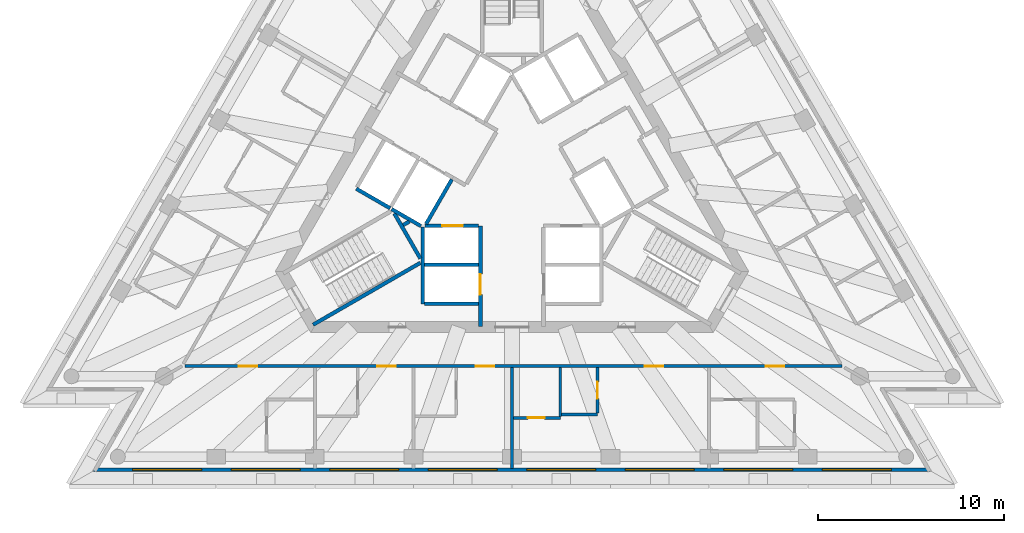
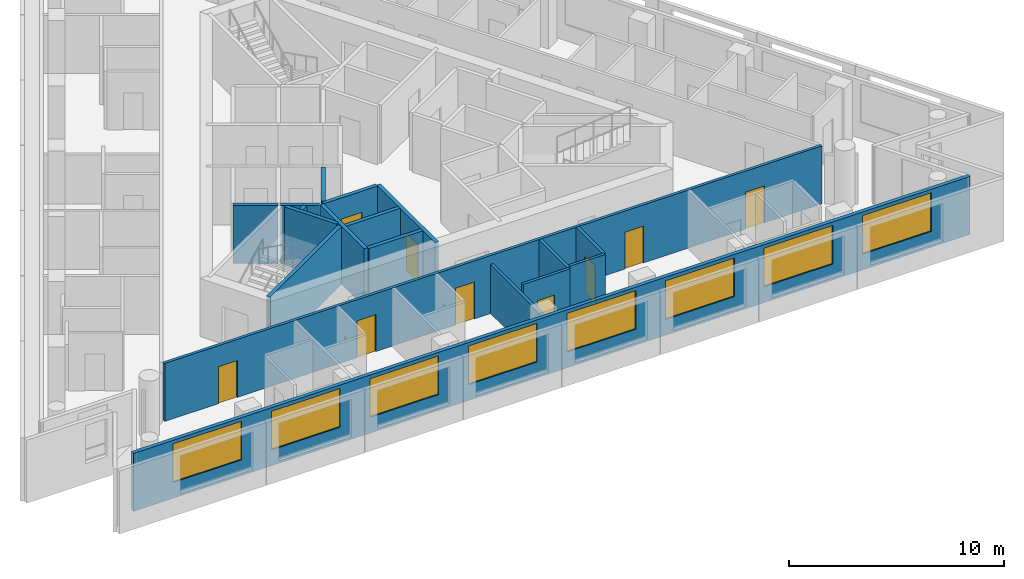
# One storey, part 3 of 11: 18 walls, 9 doors, 8 windows, 17 openings.
"""IFC4 building model written with IfcOpenShell, lengths in metres."""

from ifc_helpers import new_model, si_unit, direction, frame, frame_2d, origin, place, context, subcontext, project, spatial, rectangle, extrude, material, layer, layer_set, layer_usage, type_object, element, fill, save


model = new_model("IFC4")

# Units and contexts
model_context = context("Model", 3, precision=1e-05, world=origin(), true_north=direction((0.0, 1.0)))
body_context = subcontext(model_context, "Body", "Model", "MODEL_VIEW")
ifc_project = project(units=[si_unit("LENGTHUNIT", "METRE"), si_unit("AREAUNIT", "SQUARE_METRE"), si_unit("VOLUMEUNIT", "CUBIC_METRE"), si_unit("PLANEANGLEUNIT", "RADIAN"), si_unit("MASSUNIT", "GRAM", prefix="KILO")], contexts=[model_context])

# Site, building, storey
site_placement = place(None, origin())
site = spatial("IfcSite", under=ifc_project, at=site_placement, CompositionType="ELEMENT")
building_placement = place(site_placement, origin())
building = spatial("IfcBuilding", under=site, at=building_placement, Name="Triada Interchange Tower", CompositionType="ELEMENT")
storey_placement = place(building_placement, frame((0.0, 0.0, 304.300048828125)))
storey = spatial("IfcBuildingStorey", under=building, at=storey_placement, Name="L72", CompositionType="ELEMENT", Elevation=304.300048828125)

# Walls
ifc_material_1 = material(Name="Concrete C30/37", Category="concrete")
ifc_layer_1 = layer(ifc_material_1, 0.199951171875)
ifc_layer_set_1 = layer_set([ifc_layer_1], Name="CORE WALL 200 EI 120")
wall_type_1 = type_object("IfcWallType", Name="CORE WALL 200 EI 120", PredefinedType="SOLIDWALL", material=ifc_layer_set_1)
wall_1_placement = place(storey_placement, frame((-8.3759765625, -0.70703125, 0.0), z_axis=(0.0, 0.0, 1.0), x_axis=(0.866067520717, -0.499927044236, 0.0)))
element("IfcWall", 1, at=wall_1_placement, inside=storey, type_object=wall_type_1, Name="Wall L71 69", PredefinedType="SOLIDWALL", context=body_context, shape_type="SweptSolid", body=[
    extrude(rectangle(XDim=2.100341796875, YDim=0.199951171875, at=frame_2d((1.05029296875, 0.0))), origin(), (0.0, 0.0, 1.0), 3.300048828125),
])
wall_2_placement = place(storey_placement, frame((-4.699951171875, -4.800048828125, 0.0), z_axis=(0.0, 0.0, 1.0), x_axis=(1.0, 0.0, 0.0)))
element("IfcWall", 2, at=wall_2_placement, inside=storey, type_object=wall_type_1, Name="Wall L71 71", PredefinedType="SOLIDWALL", context=body_context, shape_type="SweptSolid", body=[
    extrude(rectangle(XDim=2.89990234375, YDim=0.199951171875, at=frame_2d((1.449951171875, 0.0))), origin(), (0.0, 0.0, 1.0), 3.300048828125),
])
wall_3_placement = place(storey_placement, frame((-4.800048828125, -6.89990234375, 0.0), z_axis=(0.0, 0.0, 1.0), x_axis=(0.0, 1.0, 0.0)))
element("IfcWall", 3, at=wall_3_placement, inside=storey, type_object=wall_type_1, Name="Wall L71 73", PredefinedType="SOLIDWALL", context=body_context, shape_type="SweptSolid", body=[
    extrude(rectangle(XDim=4.130859375, YDim=0.199951171875, at=frame_2d((2.0654296875, 0.0))), origin(), (0.0, 0.0, 1.0), 3.300048828125),
])
wall_4_placement = place(storey_placement, frame((-4.699951171875, -6.89990234375, 0.0), z_axis=(0.0, 0.0, 1.0), x_axis=(1.0, 0.0, 0.0)))
element("IfcWall", 4, at=wall_4_placement, inside=storey, type_object=wall_type_1, Name="Wall L71 74", PredefinedType="SOLIDWALL", context=body_context, shape_type="SweptSolid", body=[
    extrude(rectangle(XDim=2.89990234375, YDim=0.199951171875, at=frame_2d((1.449951171875, 0.0))), origin(), (0.0, 0.0, 1.0), 3.300048828125),
])

# Wall, opening, door
wall_5_placement = place(storey_placement, frame((-1.699951171875, -8.1298828125, 0.0), z_axis=(0.0, 0.0, 1.0), x_axis=(0.0, 1.0, 0.0)))
wall_5 = element("IfcWall", 5, at=wall_5_placement, inside=storey, type_object=wall_type_1, Name="Wall L71 76", PredefinedType="SOLIDWALL", context=body_context, shape_type="SweptSolid", body=[
    extrude(rectangle(XDim=5.427001953125, YDim=0.199951171875, at=frame_2d((2.71337890625, 0.0))), origin(), (0.0, 0.0, 1.0), 3.300048828125),
])
opening_1_placement = place(wall_5_placement, frame((1.72998046875, 0.0, 0.0)))
opening_1 = element("IfcOpeningElement", 6, at=opening_1_placement, cuts=wall_5, Name="Opening LD-HR4", PredefinedType="OPENING", context=body_context, shape_type="SweptSolid", body=[
    extrude(rectangle(XDim=1.10009765625, YDim=2.10009765625, at=frame_2d((0.550048828125, 1.050048828125))), frame((0.0, 0.10986328125, 0.0), z_axis=(0.0, -1.0, 0.0), x_axis=(1.0, 0.0, 0.0)), (0.0, 0.0, 1.0), 0.219970703125),
])
ifc_material_2 = material(Name="Steel S235 door leaf", Category="steel")
door_type_1 = type_object("IfcDoorType", Name="LIFT LANDING DOOR 1100 EI 120", OperationType="SLIDING_TO_LEFT", PredefinedType="DOOR", material=ifc_material_2)
door_1_placement = place(opening_1_placement, origin())
door_1 = element("IfcDoor", 7, at=door_1_placement, inside=storey, type_object=door_type_1, Name="HR4 landing door L72", OperationType="SLIDING_TO_LEFT", OverallHeight=2.10009765625, OverallWidth=1.10009765625, PredefinedType="DOOR", context=body_context, shape_type="SweptSolid", body=[
    extrude(rectangle(XDim=1.10009765625, YDim=2.10009765625, at=frame_2d((0.550048828125, 1.050048828125))), frame((0.0, 0.02490234375, 0.0), z_axis=(0.0, -1.0, 0.0), x_axis=(1.0, 0.0, 0.0)), (0.0, 0.0, 1.0), 0.050048828125),
])
fill(opening_1, door_1)

wall_6_placement = place(storey_placement, frame((-4.676025390625, -2.699951171875, 0.0), z_axis=(0.0, 0.0, 1.0), x_axis=(1.0, 0.0, 0.0)))
wall_6 = element("IfcWall", 8, at=wall_6_placement, inside=storey, type_object=wall_type_1, Name="Wall L71 77", PredefinedType="SOLIDWALL", context=body_context, shape_type="SweptSolid", body=[
    extrude(rectangle(XDim=2.873046875, YDim=0.199951171875, at=frame_2d((1.4365234375, 0.0))), origin(), (0.0, 0.0, 1.0), 3.300048828125),
])
opening_2_placement = place(wall_6_placement, frame((0.93701171875, 0.0, 0.0)))
opening_2 = element("IfcOpeningElement", 9, at=opening_2_placement, cuts=wall_6, Name="Opening LD-HR3", PredefinedType="OPENING", context=body_context, shape_type="SweptSolid", body=[
    extrude(rectangle(XDim=1.10009765625, YDim=2.10009765625, at=frame_2d((0.550048828125, 1.050048828125))), frame((0.0, 0.10986328125, 0.0), z_axis=(0.0, -1.0, 0.0), x_axis=(1.0, 0.0, 0.0)), (0.0, 0.0, 1.0), 0.219970703125),
])
door_2_placement = place(opening_2_placement, origin())
door_2 = element("IfcDoor", 10, at=door_2_placement, inside=storey, type_object=door_type_1, Name="HR3 landing door L72", OperationType="SLIDING_TO_LEFT", OverallHeight=2.10009765625, OverallWidth=1.10009765625, PredefinedType="DOOR", context=body_context, shape_type="SweptSolid", body=[
    extrude(rectangle(XDim=1.10009765625, YDim=2.10009765625, at=frame_2d((0.550048828125, 1.050048828125))), frame((0.0, 0.02490234375, 0.0), z_axis=(0.0, -1.0, 0.0), x_axis=(1.0, 0.0, 0.0)), (0.0, 0.0, 1.0), 0.050048828125),
])
fill(opening_2, door_2)

# Walls
ifc_layer_2 = layer(ifc_material_1, 0.199951171875)
ifc_layer_set_2 = layer_set([ifc_layer_2], Name="CORE WALL 200 EI 180")
wall_type_2 = type_object("IfcWallType", Name="CORE WALL 200 EI 180", PredefinedType="SOLIDWALL", material=ifc_layer_set_2)
wall_7_placement = place(storey_placement, frame((-6.469970703125, -1.806884765625, 0.0), z_axis=(0.0, 0.0, 1.0), x_axis=(0.865883195159, -0.500246231712, 0.0)))
element("IfcWall", 11, at=wall_7_placement, inside=storey, type_object=wall_type_2, Name="Shaft wall FF1 L71 102", PredefinedType="SOLIDWALL", context=body_context, shape_type="SweptSolid", body=[
    extrude(rectangle(XDim=1.8154296875, YDim=0.199951171875, at=frame_2d((0.90771484375, 0.0))), origin(), (0.0, 0.0, 1.0), 3.300048828125),
])
wall_8_placement = place(storey_placement, frame((-4.618896484375, -2.60009765625, 0.0), z_axis=(0.0, 0.0, 1.0), x_axis=(0.50009492287, 0.865970593103, 0.0)))
element("IfcWall", 12, at=wall_8_placement, inside=storey, type_object=wall_type_2, Name="Shaft wall FF1 L71 104", PredefinedType="SOLIDWALL", context=body_context, shape_type="SweptSolid", body=[
    extrude(rectangle(XDim=2.76123046875, YDim=0.199951171875, at=frame_2d((1.380615234375, 0.0))), origin(), (0.0, 0.0, 1.0), 3.300048828125),
])
ifc_layer_3 = layer(ifc_material_1, 0.199951171875)
ifc_layer_set_3 = layer_set([ifc_layer_3], Name="CORE WALL 200 EI 90")
wall_type_3 = type_object("IfcWallType", Name="CORE WALL 200 EI 90", PredefinedType="SOLIDWALL", material=ifc_layer_set_3)
wall_9_placement = place(storey_placement, frame((-5.85302734375, -2.662109375, 0.0), z_axis=(0.0, 0.0, 1.0), x_axis=(0.866630806644, 0.498949942355, 0.0)))
element("IfcWall", 13, at=wall_9_placement, inside=storey, type_object=wall_type_3, Name="Wall L71 109", PredefinedType="SOLIDWALL", context=body_context, shape_type="SweptSolid", body=[
    extrude(rectangle(XDim=0.383056640625, YDim=0.199951171875, at=frame_2d((0.19140625, 0.0))), origin(), (0.0, 0.0, 1.0), 3.300048828125),
])
ifc_layer_4 = layer(ifc_material_1, 0.199951171875)
ifc_layer_set_4 = layer_set([ifc_layer_4], Name="CORE WALL 200 REI 240")
wall_type_4 = type_object("IfcWallType", Name="CORE WALL 200 REI 240", PredefinedType="SOLIDWALL", material=ifc_layer_set_4)
wall_10_placement = place(storey_placement, frame((-6.3291015625, -2.0380859375, 0.0), z_axis=(0.0, 0.0, 1.0), x_axis=(0.500200581029, -0.865909567298, 0.0)))
element("IfcWall", 14, at=wall_10_placement, inside=storey, type_object=wall_type_4, Name="Wall L71 116", PredefinedType="SOLIDWALL", context=body_context, shape_type="SweptSolid", body=[
    extrude(rectangle(XDim=2.799072265625, YDim=0.199951171875, at=frame_2d((1.3994140625, 0.0))), origin(), (0.0, 0.0, 1.0), 3.300048828125),
])
wall_11_placement = place(storey_placement, frame((-10.700927734375, -8.02587890625, 0.0), z_axis=(0.0, 0.0, 1.0), x_axis=(0.866005022404, 0.500035299925, 0.0)))
element("IfcWall", 15, at=wall_11_placement, inside=storey, type_object=wall_type_4, Name="Wall L71 117", PredefinedType="SOLIDWALL", context=body_context, shape_type="SweptSolid", body=[
    extrude(rectangle(XDim=6.6650390625, YDim=0.199951171875, at=frame_2d((3.33251953125, 0.0))), origin(), (0.0, 0.0, 1.0), 3.300048828125),
])

# Wall, openings, windows
ifc_material_3 = material(Name="Cement board")
ifc_layer_5 = layer(ifc_material_3, 0.02001953125, Name="Cement board cladding")
ifc_material_4 = material(Name="Sheathing board")
ifc_layer_6 = layer(ifc_material_4, 0.014892578125, Name="Sheathing board")
ifc_material_5 = material(Name="Mineral wool")
ifc_layer_7 = layer(ifc_material_5, 0.14990234375, Name="Mineral wool between steel studs")
ifc_material_6 = material(Name="Gypsum board")
ifc_layer_8 = layer(ifc_material_6, 0.014892578125, Name="Plasterboard lining")
ifc_layer_set_5 = layer_set([ifc_layer_5, ifc_layer_6, ifc_layer_7, ifc_layer_8], Name="External wall 200")
ifc_layer_usage = layer_usage(ifc_layer_set_5, "AXIS2", "POSITIVE", -0.10009765625)
wall_type_5 = type_object("IfcWallType", Name="External wall 200", PredefinedType="ELEMENTEDWALL", material=ifc_layer_set_5)
wall_12_placement = place(storey_placement, frame((-22.507080078125, -15.826904296875, 0.0), z_axis=(0.0, 0.0, 1.0), x_axis=(1.0, 0.0, 0.0)))
wall_12 = element("IfcWall", 16, at=wall_12_placement, inside=storey, type_object=wall_type_5, material=ifc_layer_usage, Name="External wall L72 S", PredefinedType="ELEMENTEDWALL", context=body_context, shape_type="SweptSolid", body=[
    extrude(rectangle(XDim=44.994140625, YDim=0.199951171875, at=frame_2d((22.4970703125, 0.0))), origin(), (0.0, 0.0, 1.0), 3.300048828125),
])
opening_3_placement = place(wall_12_placement, frame((2.10400390625, 0.0, 0.89990234375)))
opening_3 = element("IfcOpeningElement", 17, at=opening_3_placement, cuts=wall_12, Name="Opening WD11", PredefinedType="OPENING", context=body_context, shape_type="SweptSolid", body=[
    extrude(rectangle(XDim=3.699951171875, YDim=2.199951171875, at=frame_2d((1.85009765625, 1.10009765625))), frame((0.0, 0.10986328125, 0.0), z_axis=(0.0, -1.0, 0.0), x_axis=(1.0, 0.0, 0.0)), (0.0, 0.0, 1.0), 0.219970703125),
])
opening_4_placement = place(wall_12_placement, frame((7.405029296875, 0.0, 0.89990234375)))
opening_4 = element("IfcOpeningElement", 18, at=opening_4_placement, cuts=wall_12, Name="Opening WD12", PredefinedType="OPENING", context=body_context, shape_type="SweptSolid", body=[
    extrude(rectangle(XDim=3.699951171875, YDim=2.199951171875, at=frame_2d((1.85009765625, 1.10009765625))), frame((0.0, 0.10986328125, 0.0), z_axis=(0.0, -1.0, 0.0), x_axis=(1.0, 0.0, 0.0)), (0.0, 0.0, 1.0), 0.219970703125),
])
opening_5_placement = place(wall_12_placement, frame((12.7060546875, 0.0, 0.89990234375)))
opening_5 = element("IfcOpeningElement", 19, at=opening_5_placement, cuts=wall_12, Name="Opening WD13", PredefinedType="OPENING", context=body_context, shape_type="SweptSolid", body=[
    extrude(rectangle(XDim=3.699951171875, YDim=2.199951171875, at=frame_2d((1.85009765625, 1.10009765625))), frame((0.0, 0.10986328125, 0.0), z_axis=(0.0, -1.0, 0.0), x_axis=(1.0, 0.0, 0.0)), (0.0, 0.0, 1.0), 0.219970703125),
])
opening_6_placement = place(wall_12_placement, frame((18.006103515625, 0.0, 0.89990234375)))
opening_6 = element("IfcOpeningElement", 20, at=opening_6_placement, cuts=wall_12, Name="Opening WD14", PredefinedType="OPENING", context=body_context, shape_type="SweptSolid", body=[
    extrude(rectangle(XDim=3.699951171875, YDim=2.199951171875, at=frame_2d((1.85009765625, 1.10009765625))), frame((0.0, 0.10986328125, 0.0), z_axis=(0.0, -1.0, 0.0), x_axis=(1.0, 0.0, 0.0)), (0.0, 0.0, 1.0), 0.219970703125),
])
opening_7_placement = place(wall_12_placement, frame((23.30810546875, 0.0, 0.89990234375)))
opening_7 = element("IfcOpeningElement", 21, at=opening_7_placement, cuts=wall_12, Name="Opening WD15", PredefinedType="OPENING", context=body_context, shape_type="SweptSolid", body=[
    extrude(rectangle(XDim=3.699951171875, YDim=2.199951171875, at=frame_2d((1.85009765625, 1.10009765625))), frame((0.0, 0.10986328125, 0.0), z_axis=(0.0, -1.0, 0.0), x_axis=(1.0, 0.0, 0.0)), (0.0, 0.0, 1.0), 0.219970703125),
])
opening_8_placement = place(wall_12_placement, frame((28.60791015625, 0.0, 0.89990234375)))
opening_8 = element("IfcOpeningElement", 22, at=opening_8_placement, cuts=wall_12, Name="Opening WD16", PredefinedType="OPENING", context=body_context, shape_type="SweptSolid", body=[
    extrude(rectangle(XDim=3.699951171875, YDim=2.199951171875, at=frame_2d((1.85009765625, 1.10009765625))), frame((0.0, 0.10986328125, 0.0), z_axis=(0.0, -1.0, 0.0), x_axis=(1.0, 0.0, 0.0)), (0.0, 0.0, 1.0), 0.219970703125),
])
opening_9_placement = place(wall_12_placement, frame((33.909912109375, 0.0, 0.89990234375)))
opening_9 = element("IfcOpeningElement", 23, at=opening_9_placement, cuts=wall_12, Name="Opening WD17", PredefinedType="OPENING", context=body_context, shape_type="SweptSolid", body=[
    extrude(rectangle(XDim=3.699951171875, YDim=2.199951171875, at=frame_2d((1.85009765625, 1.10009765625))), frame((0.0, 0.10986328125, 0.0), z_axis=(0.0, -1.0, 0.0), x_axis=(1.0, 0.0, 0.0)), (0.0, 0.0, 1.0), 0.219970703125),
])
opening_10_placement = place(wall_12_placement, frame((39.2099609375, 0.0, 0.89990234375)))
opening_10 = element("IfcOpeningElement", 24, at=opening_10_placement, cuts=wall_12, Name="Opening WD18", PredefinedType="OPENING", context=body_context, shape_type="SweptSolid", body=[
    extrude(rectangle(XDim=3.699951171875, YDim=2.199951171875, at=frame_2d((1.85009765625, 1.10009765625))), frame((0.0, 0.10986328125, 0.0), z_axis=(0.0, -1.0, 0.0), x_axis=(1.0, 0.0, 0.0)), (0.0, 0.0, 1.0), 0.219970703125),
])
ifc_material_7 = material(Name="Double glazed aluminium window", Category="aluminium")
window_type = type_object("IfcWindowType", Name="Ribbon window D face", PartitioningType="SINGLE_PANEL", PredefinedType="WINDOW", material=ifc_material_7)
window_1_placement = place(opening_3_placement, origin())
window_1 = element("IfcWindow", 25, at=window_1_placement, inside=storey, type_object=window_type, Name="Window L72 S 1", OverallHeight=2.199951171875, OverallWidth=3.699951171875, PartitioningType="SINGLE_PANEL", PredefinedType="WINDOW", context=body_context, shape_type="SweptSolid", body=[
    extrude(rectangle(XDim=3.699951171875, YDim=2.199951171875, at=frame_2d((1.85009765625, 1.10009765625))), frame((0.0, 0.030029296875, 0.0), z_axis=(0.0, -1.0, 0.0), x_axis=(1.0, 0.0, 0.0)), (0.0, 0.0, 1.0), 0.06005859375),
])
fill(opening_3, window_1)
window_2_placement = place(opening_4_placement, origin())
window_2 = element("IfcWindow", 26, at=window_2_placement, inside=storey, type_object=window_type, Name="Window L72 S 2", OverallHeight=2.199951171875, OverallWidth=3.699951171875, PartitioningType="SINGLE_PANEL", PredefinedType="WINDOW", context=body_context, shape_type="SweptSolid", body=[
    extrude(rectangle(XDim=3.699951171875, YDim=2.199951171875, at=frame_2d((1.85009765625, 1.10009765625))), frame((0.0, 0.030029296875, 0.0), z_axis=(0.0, -1.0, 0.0), x_axis=(1.0, 0.0, 0.0)), (0.0, 0.0, 1.0), 0.06005859375),
])
fill(opening_4, window_2)
window_3_placement = place(opening_5_placement, origin())
window_3 = element("IfcWindow", 27, at=window_3_placement, inside=storey, type_object=window_type, Name="Window L72 S 3", OverallHeight=2.199951171875, OverallWidth=3.699951171875, PartitioningType="SINGLE_PANEL", PredefinedType="WINDOW", context=body_context, shape_type="SweptSolid", body=[
    extrude(rectangle(XDim=3.699951171875, YDim=2.199951171875, at=frame_2d((1.85009765625, 1.10009765625))), frame((0.0, 0.030029296875, 0.0), z_axis=(0.0, -1.0, 0.0), x_axis=(1.0, 0.0, 0.0)), (0.0, 0.0, 1.0), 0.06005859375),
])
fill(opening_5, window_3)
window_4_placement = place(opening_6_placement, origin())
window_4 = element("IfcWindow", 28, at=window_4_placement, inside=storey, type_object=window_type, Name="Window L72 S 4", OverallHeight=2.199951171875, OverallWidth=3.699951171875, PartitioningType="SINGLE_PANEL", PredefinedType="WINDOW", context=body_context, shape_type="SweptSolid", body=[
    extrude(rectangle(XDim=3.699951171875, YDim=2.199951171875, at=frame_2d((1.85009765625, 1.10009765625))), frame((0.0, 0.030029296875, 0.0), z_axis=(0.0, -1.0, 0.0), x_axis=(1.0, 0.0, 0.0)), (0.0, 0.0, 1.0), 0.06005859375),
])
fill(opening_6, window_4)
window_5_placement = place(opening_7_placement, origin())
window_5 = element("IfcWindow", 29, at=window_5_placement, inside=storey, type_object=window_type, Name="Window L72 S 5", OverallHeight=2.199951171875, OverallWidth=3.699951171875, PartitioningType="SINGLE_PANEL", PredefinedType="WINDOW", context=body_context, shape_type="SweptSolid", body=[
    extrude(rectangle(XDim=3.699951171875, YDim=2.199951171875, at=frame_2d((1.85009765625, 1.10009765625))), frame((0.0, 0.030029296875, 0.0), z_axis=(0.0, -1.0, 0.0), x_axis=(1.0, 0.0, 0.0)), (0.0, 0.0, 1.0), 0.06005859375),
])
fill(opening_7, window_5)
window_6_placement = place(opening_8_placement, origin())
window_6 = element("IfcWindow", 30, at=window_6_placement, inside=storey, type_object=window_type, Name="Window L72 S 6", OverallHeight=2.199951171875, OverallWidth=3.699951171875, PartitioningType="SINGLE_PANEL", PredefinedType="WINDOW", context=body_context, shape_type="SweptSolid", body=[
    extrude(rectangle(XDim=3.699951171875, YDim=2.199951171875, at=frame_2d((1.85009765625, 1.10009765625))), frame((0.0, 0.030029296875, 0.0), z_axis=(0.0, -1.0, 0.0), x_axis=(1.0, 0.0, 0.0)), (0.0, 0.0, 1.0), 0.06005859375),
])
fill(opening_8, window_6)
window_7_placement = place(opening_9_placement, origin())
window_7 = element("IfcWindow", 31, at=window_7_placement, inside=storey, type_object=window_type, Name="Window L72 S 7", OverallHeight=2.199951171875, OverallWidth=3.699951171875, PartitioningType="SINGLE_PANEL", PredefinedType="WINDOW", context=body_context, shape_type="SweptSolid", body=[
    extrude(rectangle(XDim=3.699951171875, YDim=2.199951171875, at=frame_2d((1.85009765625, 1.10009765625))), frame((0.0, 0.030029296875, 0.0), z_axis=(0.0, -1.0, 0.0), x_axis=(1.0, 0.0, 0.0)), (0.0, 0.0, 1.0), 0.06005859375),
])
fill(opening_9, window_7)
window_8_placement = place(opening_10_placement, origin())
window_8 = element("IfcWindow", 32, at=window_8_placement, inside=storey, type_object=window_type, Name="Window L72 S 8", OverallHeight=2.199951171875, OverallWidth=3.699951171875, PartitioningType="SINGLE_PANEL", PredefinedType="WINDOW", context=body_context, shape_type="SweptSolid", body=[
    extrude(rectangle(XDim=3.699951171875, YDim=2.199951171875, at=frame_2d((1.85009765625, 1.10009765625))), frame((0.0, 0.030029296875, 0.0), z_axis=(0.0, -1.0, 0.0), x_axis=(1.0, 0.0, 0.0)), (0.0, 0.0, 1.0), 0.06005859375),
])
fill(opening_10, window_8)

# Wall, openings, doors
ifc_material_8 = material(Name="Gypsum board partition")
ifc_layer_9 = layer(ifc_material_8, 0.14990234375)
ifc_layer_set_6 = layer_set([ifc_layer_9], Name="PARTITION 150 EI 180")
wall_type_6 = type_object("IfcWallType", Name="PARTITION 150 EI 180", PredefinedType="PARTITIONING", material=ifc_layer_set_6)
wall_13_placement = place(storey_placement, frame((-17.60302734375, -10.25, 0.0), z_axis=(0.0, 0.0, 1.0), x_axis=(1.0, 0.0, 0.0)))
wall_13 = element("IfcWall", 33, at=wall_13_placement, inside=storey, type_object=wall_type_6, Name="Wall L71 4", PredefinedType="PARTITIONING", context=body_context, shape_type="SweptSolid", body=[
    extrude(rectangle(XDim=35.35595703125, YDim=0.14990234375, at=frame_2d((17.677978515625, 0.0))), origin(), (0.0, 0.0, 1.0), 3.300048828125),
])
opening_11_placement = place(wall_13_placement, frame((2.89990234375, 0.0, 0.0)))
opening_11 = element("IfcOpeningElement", 34, at=opening_11_placement, cuts=wall_13, Name="Opening D71-11", PredefinedType="OPENING", context=body_context, shape_type="SweptSolid", body=[
    extrude(rectangle(XDim=1.0, YDim=2.10009765625, at=frame_2d((0.5, 1.050048828125))), frame((0.0, 0.0849609375, 0.0), z_axis=(0.0, -1.0, 0.0), x_axis=(1.0, 0.0, 0.0)), (0.0, 0.0, 1.0), 0.169921875),
])
opening_12_placement = place(wall_13_placement, frame((10.35107421875, 0.0, 0.0)))
opening_12 = element("IfcOpeningElement", 35, at=opening_12_placement, cuts=wall_13, Name="Opening D71-13", PredefinedType="OPENING", context=body_context, shape_type="SweptSolid", body=[
    extrude(rectangle(XDim=1.0, YDim=2.10009765625, at=frame_2d((0.5, 1.050048828125))), frame((0.0, 0.0849609375, 0.0), z_axis=(0.0, -1.0, 0.0), x_axis=(1.0, 0.0, 0.0)), (0.0, 0.0, 1.0), 0.169921875),
])
opening_13_placement = place(wall_13_placement, frame((15.652099609375, 0.0, 0.0)))
opening_13 = element("IfcOpeningElement", 36, at=opening_13_placement, cuts=wall_13, Name="Opening D71-15", PredefinedType="OPENING", context=body_context, shape_type="SweptSolid", body=[
    extrude(rectangle(XDim=1.0, YDim=2.10009765625, at=frame_2d((0.5, 1.050048828125))), frame((0.0, 0.0849609375, 0.0), z_axis=(0.0, -1.0, 0.0), x_axis=(1.0, 0.0, 0.0)), (0.0, 0.0, 1.0), 0.169921875),
])
opening_14_placement = place(wall_13_placement, frame((24.7529296875, 0.0, 0.0)))
opening_14 = element("IfcOpeningElement", 37, at=opening_14_placement, cuts=wall_13, Name="Opening D71-17", PredefinedType="OPENING", context=body_context, shape_type="SweptSolid", body=[
    extrude(rectangle(XDim=1.0, YDim=2.10009765625, at=frame_2d((0.5, 1.050048828125))), frame((0.0, 0.0849609375, 0.0), z_axis=(0.0, -1.0, 0.0), x_axis=(1.0, 0.0, 0.0)), (0.0, 0.0, 1.0), 0.169921875),
])
opening_15_placement = place(wall_13_placement, frame((31.2548828125, 0.0, 0.0)))
opening_15 = element("IfcOpeningElement", 38, at=opening_15_placement, cuts=wall_13, Name="Opening D71-20", PredefinedType="OPENING", context=body_context, shape_type="SweptSolid", body=[
    extrude(rectangle(XDim=1.0, YDim=2.10009765625, at=frame_2d((0.5, 1.050048828125))), frame((0.0, 0.0849609375, 0.0), z_axis=(0.0, -1.0, 0.0), x_axis=(1.0, 0.0, 0.0)), (0.0, 0.0, 1.0), 0.169921875),
])
door_type_2 = type_object("IfcDoorType", Name="GUEST ROOM DOOR 1000 EI2 90-C5S200", OperationType="NOTDEFINED", PredefinedType="DOOR", material=ifc_material_2)
door_3_placement = place(opening_11_placement, origin())
door_3 = element("IfcDoor", 39, at=door_3_placement, inside=storey, type_object=door_type_2, Name="Door D71-11 L72", OperationType="SINGLE_SWING_RIGHT", OverallHeight=2.10009765625, OverallWidth=1.0, PredefinedType="DOOR", context=body_context, shape_type="SweptSolid", body=[
    extrude(rectangle(XDim=1.0, YDim=2.10009765625, at=frame_2d((0.5, 1.050048828125))), frame((0.0, 0.02490234375, 0.0), z_axis=(0.0, -1.0, 0.0), x_axis=(1.0, 0.0, 0.0)), (0.0, 0.0, 1.0), 0.050048828125),
])
fill(opening_11, door_3)
door_4_placement = place(opening_12_placement, origin())
door_4 = element("IfcDoor", 40, at=door_4_placement, inside=storey, type_object=door_type_2, Name="Door D71-13 L72", OperationType="SINGLE_SWING_RIGHT", OverallHeight=2.10009765625, OverallWidth=1.0, PredefinedType="DOOR", context=body_context, shape_type="SweptSolid", body=[
    extrude(rectangle(XDim=1.0, YDim=2.10009765625, at=frame_2d((0.5, 1.050048828125))), frame((0.0, 0.02490234375, 0.0), z_axis=(0.0, -1.0, 0.0), x_axis=(1.0, 0.0, 0.0)), (0.0, 0.0, 1.0), 0.050048828125),
])
fill(opening_12, door_4)
door_5_placement = place(opening_13_placement, origin())
door_5 = element("IfcDoor", 41, at=door_5_placement, inside=storey, type_object=door_type_2, Name="Door D71-15 L72", OperationType="SINGLE_SWING_RIGHT", OverallHeight=2.10009765625, OverallWidth=1.0, PredefinedType="DOOR", context=body_context, shape_type="SweptSolid", body=[
    extrude(rectangle(XDim=1.0, YDim=2.10009765625, at=frame_2d((0.5, 1.050048828125))), frame((0.0, 0.02490234375, 0.0), z_axis=(0.0, -1.0, 0.0), x_axis=(1.0, 0.0, 0.0)), (0.0, 0.0, 1.0), 0.050048828125),
])
fill(opening_13, door_5)
door_6_placement = place(opening_14_placement, origin())
door_6 = element("IfcDoor", 42, at=door_6_placement, inside=storey, type_object=door_type_2, Name="Door D71-17 L72", OperationType="SINGLE_SWING_RIGHT", OverallHeight=2.10009765625, OverallWidth=1.0, PredefinedType="DOOR", context=body_context, shape_type="SweptSolid", body=[
    extrude(rectangle(XDim=1.0, YDim=2.10009765625, at=frame_2d((0.5, 1.050048828125))), frame((0.0, 0.02490234375, 0.0), z_axis=(0.0, -1.0, 0.0), x_axis=(1.0, 0.0, 0.0)), (0.0, 0.0, 1.0), 0.050048828125),
])
fill(opening_14, door_6)
door_7_placement = place(opening_15_placement, origin())
door_7 = element("IfcDoor", 43, at=door_7_placement, inside=storey, type_object=door_type_2, Name="Door D71-20 L72", OperationType="SINGLE_SWING_LEFT", OverallHeight=2.10009765625, OverallWidth=1.0, PredefinedType="DOOR", context=body_context, shape_type="SweptSolid", body=[
    extrude(rectangle(XDim=1.0, YDim=2.10009765625, at=frame_2d((0.5, 1.050048828125))), frame((0.0, 0.02490234375, 0.0), z_axis=(0.0, -1.0, 0.0), x_axis=(1.0, 0.0, 0.0)), (0.0, 0.0, 1.0), 0.050048828125),
])
fill(opening_15, door_7)

# Wall
wall_14_placement = place(storey_placement, frame((0.0, -15.7470703125, 0.0), z_axis=(0.0, 0.0, 1.0), x_axis=(0.0, 1.0, 0.0)))
element("IfcWall", 44, at=wall_14_placement, inside=storey, type_object=wall_type_6, Name="Wall L71 12", PredefinedType="PARTITIONING", context=body_context, shape_type="SweptSolid", body=[
    extrude(rectangle(XDim=5.422119140625, YDim=0.14990234375, at=frame_2d((2.7109375, 0.0))), origin(), (0.0, 0.0, 1.0), 2.800048828125),
])

# Wall, opening, door
ifc_layer_10 = layer(ifc_material_8, 0.14990234375)
ifc_layer_set_7 = layer_set([ifc_layer_10], Name="PARTITION 150 EI 90")
wall_type_7 = type_object("IfcWallType", Name="PARTITION 150 EI 90", PredefinedType="PARTITIONING", material=ifc_layer_set_7)
wall_15_placement = place(storey_placement, frame((0.074951171875, -13.0380859375, 0.0), z_axis=(0.0, 0.0, 1.0), x_axis=(1.0, 0.0, 0.0)))
wall_15 = element("IfcWall", 45, at=wall_15_placement, inside=storey, type_object=wall_type_7, Name="Wall L71 53", PredefinedType="PARTITIONING", context=body_context, shape_type="SweptSolid", body=[
    extrude(rectangle(XDim=2.525146484375, YDim=0.14990234375, at=frame_2d((1.2626953125, 0.0))), origin(), (0.0, 0.0, 1.0), 3.300048828125),
])
opening_16_placement = place(wall_15_placement, frame((0.77490234375, 0.0, 0.0)))
opening_16 = element("IfcOpeningElement", 46, at=opening_16_placement, cuts=wall_15, Name="Opening D71-18", PredefinedType="OPENING", context=body_context, shape_type="SweptSolid", body=[
    extrude(rectangle(XDim=0.89990234375, YDim=2.10009765625, at=frame_2d((0.449951171875, 1.050048828125))), frame((0.0, 0.0849609375, 0.0), z_axis=(0.0, -1.0, 0.0), x_axis=(1.0, 0.0, 0.0)), (0.0, 0.0, 1.0), 0.169921875),
])
door_type_3 = type_object("IfcDoorType", Name="ROOM DOOR 900 EI2 45-C5S200", OperationType="NOTDEFINED", PredefinedType="DOOR", material=ifc_material_2)
door_8_placement = place(opening_16_placement, origin())
door_8 = element("IfcDoor", 47, at=door_8_placement, inside=storey, type_object=door_type_3, Name="Door D71-18 L72", OperationType="SINGLE_SWING_LEFT", OverallHeight=2.10009765625, OverallWidth=0.89990234375, PredefinedType="DOOR", context=body_context, shape_type="SweptSolid", body=[
    extrude(rectangle(XDim=0.89990234375, YDim=2.10009765625, at=frame_2d((0.449951171875, 1.050048828125))), frame((0.0, 0.02490234375, 0.0), z_axis=(0.0, -1.0, 0.0), x_axis=(1.0, 0.0, 0.0)), (0.0, 0.0, 1.0), 0.050048828125),
])
fill(opening_16, door_8)

# Walls
wall_16_placement = place(storey_placement, frame((2.60009765625, -12.964111328125, 0.0), z_axis=(0.0, 0.0, 1.0), x_axis=(0.0, 1.0, 0.0)))
element("IfcWall", 48, at=wall_16_placement, inside=storey, type_object=wall_type_7, Name="Wall L71 54", PredefinedType="PARTITIONING", context=body_context, shape_type="SweptSolid", body=[
    extrude(rectangle(XDim=2.63916015625, YDim=0.14990234375, at=frame_2d((1.319580078125, 0.0))), origin(), (0.0, 0.0, 1.0), 3.300048828125),
])
wall_17_placement = place(storey_placement, frame((2.675048828125, -12.85009765625, 0.0), z_axis=(0.0, 0.0, 1.0), x_axis=(1.0, 0.0, 0.0)))
element("IfcWall", 49, at=wall_17_placement, inside=storey, type_object=wall_type_7, Name="Wall L71 55", PredefinedType="PARTITIONING", context=body_context, shape_type="SweptSolid", body=[
    extrude(rectangle(XDim=1.925048828125, YDim=0.14990234375, at=frame_2d((0.96240234375, 0.0))), origin(), (0.0, 0.0, 1.0), 3.300048828125),
])

# Wall, opening, door
wall_18_placement = place(storey_placement, frame((4.60009765625, -12.77490234375, 0.0), z_axis=(0.0, 0.0, 1.0), x_axis=(0.0, 1.0, 0.0)))
wall_18 = element("IfcWall", 50, at=wall_18_placement, inside=storey, type_object=wall_type_7, Name="Wall L71 56", PredefinedType="PARTITIONING", context=body_context, shape_type="SweptSolid", body=[
    extrude(rectangle(XDim=2.449951171875, YDim=0.14990234375, at=frame_2d((1.22509765625, 0.0))), origin(), (0.0, 0.0, 1.0), 3.300048828125),
])
opening_17_placement = place(wall_18_placement, frame((0.77490234375, 0.0, 0.0)))
opening_17 = element("IfcOpeningElement", 51, at=opening_17_placement, cuts=wall_18, Name="Opening D71-19", PredefinedType="OPENING", context=body_context, shape_type="SweptSolid", body=[
    extrude(rectangle(XDim=0.89990234375, YDim=2.10009765625, at=frame_2d((0.449951171875, 1.050048828125))), frame((0.0, 0.0849609375, 0.0), z_axis=(0.0, -1.0, 0.0), x_axis=(1.0, 0.0, 0.0)), (0.0, 0.0, 1.0), 0.169921875),
])
door_type_4 = type_object("IfcDoorType", Name="SERVICE DOOR 900 EI2 45-C5S200", OperationType="NOTDEFINED", PredefinedType="DOOR", material=ifc_material_2)
door_9_placement = place(opening_17_placement, origin())
door_9 = element("IfcDoor", 52, at=door_9_placement, inside=storey, type_object=door_type_4, Name="Door D71-19 L72", OperationType="SINGLE_SWING_RIGHT", OverallHeight=2.10009765625, OverallWidth=0.89990234375, PredefinedType="DOOR", context=body_context, shape_type="SweptSolid", body=[
    extrude(rectangle(XDim=0.89990234375, YDim=2.10009765625, at=frame_2d((0.449951171875, 1.050048828125))), frame((0.0, 0.02490234375, 0.0), z_axis=(0.0, -1.0, 0.0), x_axis=(1.0, 0.0, 0.0)), (0.0, 0.0, 1.0), 0.050048828125),
])
fill(opening_17, door_9)

save(model, "model.ifc")
